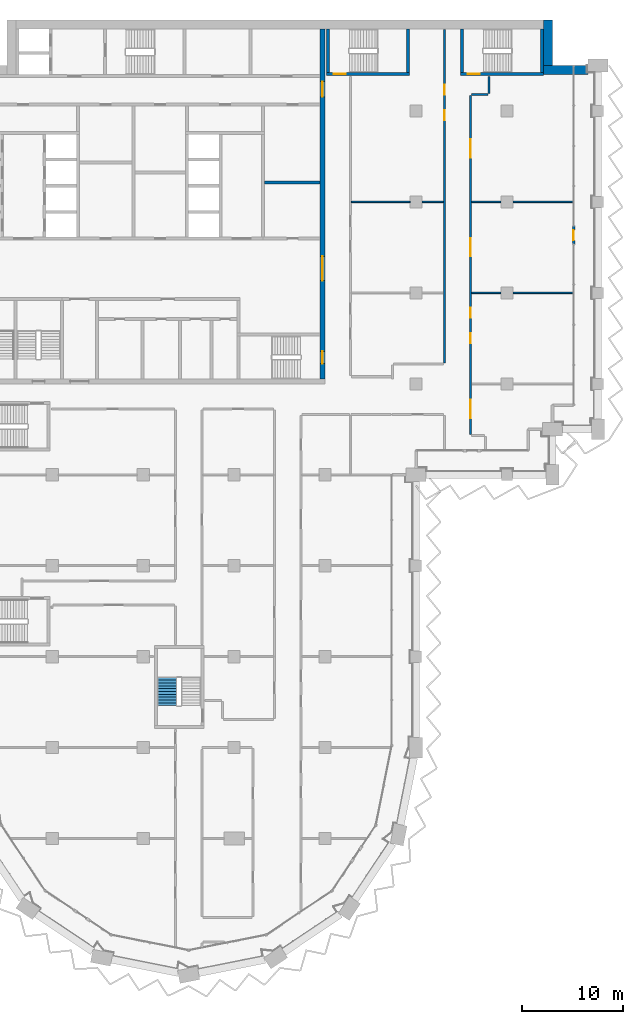
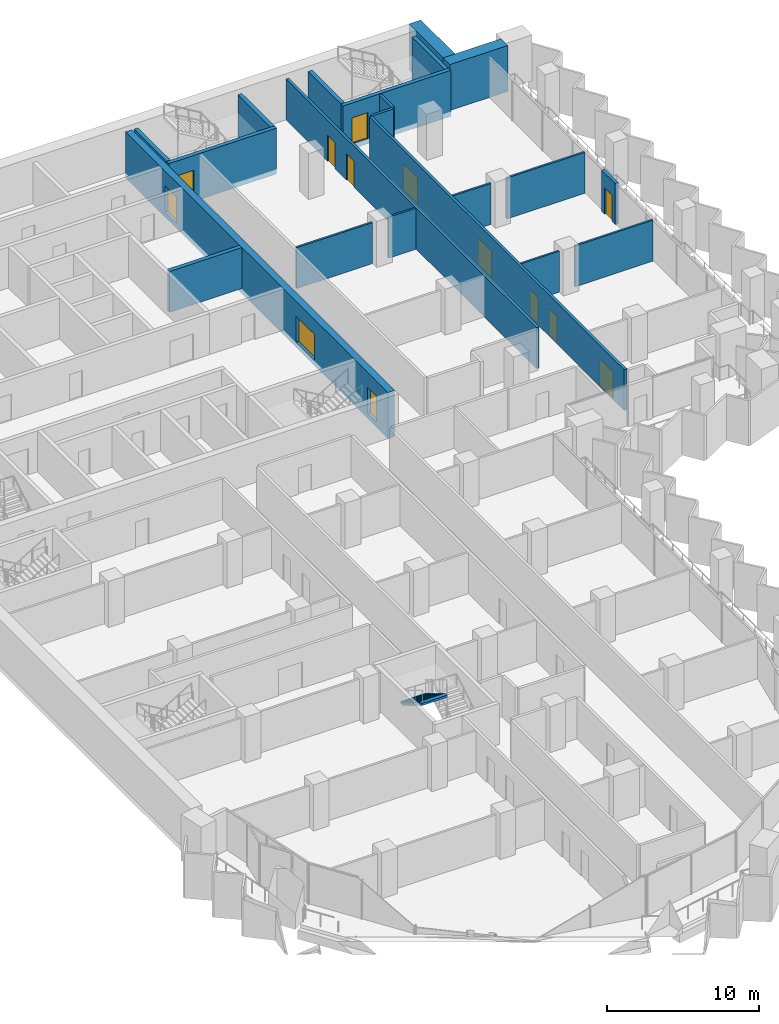
# One storey, part 15 of 23: 21 walls, 13 doors, 1 stair flight, 13 openings, 1 element without a shape of its own.
"""IFC4 building model written with IfcOpenShell, lengths in metres."""

from ifc_helpers import new_model, si_unit, direction, frame, frame_2d, origin, place, context, subcontext, project, spatial, polyline, rectangle, outline, extrude, material, layer, layer_set, type_object, element, fill, aggregate, save


model = new_model("IFC4")

# Units and contexts
model_context = context("Model", 3, precision=1e-05, world=origin(), true_north=direction((0.0, 1.0)))
body_context = subcontext(model_context, "Body", "Model", "MODEL_VIEW")
ifc_project = project(units=[si_unit("LENGTHUNIT", "METRE"), si_unit("AREAUNIT", "SQUARE_METRE"), si_unit("VOLUMEUNIT", "CUBIC_METRE"), si_unit("PLANEANGLEUNIT", "RADIAN"), si_unit("MASSUNIT", "GRAM", prefix="KILO")], contexts=[model_context])

# Site, building, storey
site_placement = place(None, origin())
site = spatial("IfcSite", under=ifc_project, at=site_placement, CompositionType="ELEMENT")
building_placement = place(site_placement, origin())
building = spatial("IfcBuilding", under=site, at=building_placement, Name="Hunhe Ridgeline Campus", CompositionType="ELEMENT")
storey_placement = place(building_placement, frame((0.0, 0.0, 170.800048828125)))
storey = spatial("IfcBuildingStorey", under=building, at=storey_placement, Name="L43", CompositionType="ELEMENT", Elevation=170.800048828125)

# Wall
ifc_material_1 = material(Name="Masonry concrete blockwork", Category="masonry")
ifc_layer_1 = layer(ifc_material_1, 0.300048828125)
ifc_layer_set_1 = layer_set([ifc_layer_1], Name="Core room partition 300 concrete block")
wall_type_1 = type_object("IfcWallType", Name="Core room partition 300 concrete block", PredefinedType="PARTITIONING", material=ifc_layer_set_1)
wall_1_placement = place(storey_placement, frame((30.0, 82.89990234375, 0.0), z_axis=(0.0, 0.0, 1.0), x_axis=(1.0, 0.0, 0.0)))
element("IfcWall", 1, at=wall_1_placement, inside=storey, type_object=wall_type_1, Name="L43 core partition 20", PredefinedType="PARTITIONING", context=body_context, shape_type="SweptSolid", body=[
    extrude(rectangle(XDim=5.5, YDim=0.300048828125, at=frame_2d((2.75, 0.0))), origin(), (0.0, 0.0, 1.0), 3.300048828125),
])

# Wall, openings, doors
ifc_material_2 = material(Name="Concrete C70", Category="concrete")
ifc_layer_2 = layer(ifc_material_2, 0.5)
ifc_layer_set_2 = layer_set([ifc_layer_2], Name="Core wall 500 reinforced concrete C70")
wall_type_2 = type_object("IfcWallType", Name="Core wall 500 reinforced concrete C70", PredefinedType="SOLIDWALL", material=ifc_layer_set_2)
wall_2_placement = place(storey_placement, frame((35.75, 63.5, -0.400146484375), z_axis=(0.0, 0.0, 1.0), x_axis=(0.0, 1.0, 0.0)))
wall_2 = element("IfcWall", 2, at=wall_2_placement, inside=storey, type_object=wall_type_2, Name="L43 core wall 60", PredefinedType="SOLIDWALL", context=body_context, shape_type="SweptSolid", body=[
    extrude(rectangle(XDim=34.60009765625, YDim=0.5, at=frame_2d((17.300048828125, 0.0))), origin(), (0.0, 0.0, 1.0), 3.7001953125),
])
opening_1_placement = place(wall_2_placement, frame((9.699951171875, 0.0, 0.39990234375)))
opening_1 = element("IfcOpeningElement", 3, at=opening_1_placement, cuts=wall_2, Name="Opening CD4", PredefinedType="OPENING", context=body_context, shape_type="SweptSolid", body=[
    extrude(rectangle(XDim=2.39990234375, YDim=2.10009765625, at=frame_2d((1.199951171875, 1.050048828125))), frame((0.0, 0.25, 0.0), z_axis=(0.0, -1.0, 0.0), x_axis=(1.0, 0.0, 0.0)), (0.0, 0.0, 1.0), 0.5),
])
opening_2_placement = place(wall_2_placement, frame((27.89990234375, 0.0, 0.39990234375)))
opening_2 = element("IfcOpeningElement", 4, at=opening_2_placement, cuts=wall_2, Name="Opening CD5", PredefinedType="OPENING", context=body_context, shape_type="SweptSolid", body=[
    extrude(rectangle(XDim=1.5, YDim=2.10009765625, at=frame_2d((0.75, 1.050048828125))), frame((0.0, 0.25, 0.0), z_axis=(0.0, -1.0, 0.0), x_axis=(1.0, 0.0, 0.0)), (0.0, 0.0, 1.0), 0.5),
])
opening_3_placement = place(wall_2_placement, frame((1.5, 0.0, 0.39990234375)))
opening_3 = element("IfcOpeningElement", 5, at=opening_3_placement, cuts=wall_2, Name="Opening CD15", PredefinedType="OPENING", context=body_context, shape_type="SweptSolid", body=[
    extrude(rectangle(XDim=1.199951171875, YDim=2.10009765625, at=frame_2d((0.60009765625, 1.050048828125))), frame((0.0, 0.25, 0.0), z_axis=(0.0, -1.0, 0.0), x_axis=(1.0, 0.0, 0.0)), (0.0, 0.0, 1.0), 0.5),
])
ifc_material_3 = material(Name="Anodised aluminium and glass", Category="aluminium")
door_type_1 = type_object("IfcDoorType", Name="Glazed double door 2400x2100", OperationType="DOUBLE_DOOR_SINGLE_SWING", PredefinedType="DOOR", material=ifc_material_3)
door_1_placement = place(opening_1_placement, frame((2.39990234375, 0.0, 0.0), z_axis=(0.0, 0.0, 1.0), x_axis=(-1.0, 0.0, 0.0)))
door_1 = element("IfcDoor", 6, at=door_1_placement, inside=storey, type_object=door_type_1, Name="L43 door HALL-FLOOR", OperationType="DOUBLE_DOOR_SINGLE_SWING", OverallHeight=2.10009765625, OverallWidth=2.39990234375, PredefinedType="DOOR", context=body_context, shape_type="SweptSolid", body=[
    extrude(rectangle(XDim=2.39990234375, YDim=2.10009765625, at=frame_2d((1.199951171875, 1.050048828125))), frame((0.0, 0.02490234375, 0.0), z_axis=(0.0, -1.0, 0.0), x_axis=(1.0, 0.0, 0.0)), (0.0, 0.0, 1.0), 0.050048828125),
])
fill(opening_1, door_1)
ifc_material_4 = material(Name="Hollow metal fire door leaf")
door_type_2 = type_object("IfcDoorType", Name="Stair door 1200x2100 FD60", OperationType="SINGLE_SWING_LEFT", PredefinedType="DOOR", material=ifc_material_4)
door_2_placement = place(opening_3_placement, frame((1.199951171875, 0.0, 0.0), z_axis=(0.0, 0.0, 1.0), x_axis=(-1.0, 0.0, 0.0)))
door_2 = element("IfcDoor", 7, at=door_2_placement, inside=storey, type_object=door_type_2, Name="L43 door S2-FLOOR", OperationType="SINGLE_SWING_RIGHT", OverallHeight=2.10009765625, OverallWidth=1.199951171875, PredefinedType="DOOR", context=body_context, shape_type="SweptSolid", body=[
    extrude(rectangle(XDim=1.199951171875, YDim=2.10009765625, at=frame_2d((0.60009765625, 1.050048828125))), frame((0.0, 0.02490234375, 0.0), z_axis=(0.0, -1.0, 0.0), x_axis=(1.0, 0.0, 0.0)), (0.0, 0.0, 1.0), 0.050048828125),
])
fill(opening_3, door_2)
ifc_material_5 = material(Name="Solid core timber door leaf", Category="wood")
door_type_3 = type_object("IfcDoorType", Name="Timber door 1500x2100", OperationType="SINGLE_SWING_LEFT", PredefinedType="DOOR", material=ifc_material_5)
door_3_placement = place(opening_2_placement, frame((1.5, 0.0, 0.0), z_axis=(0.0, 0.0, 1.0), x_axis=(-1.0, 0.0, 0.0)))
door_3 = element("IfcDoor", 8, at=door_3_placement, inside=storey, type_object=door_type_3, Name="L43 door C1-FLOOR", OperationType="SINGLE_SWING_RIGHT", OverallHeight=2.10009765625, OverallWidth=1.5, PredefinedType="DOOR", context=body_context, shape_type="SweptSolid", body=[
    extrude(rectangle(XDim=1.5, YDim=2.10009765625, at=frame_2d((0.75, 1.050048828125))), frame((0.0, 0.02490234375, 0.0), z_axis=(0.0, -1.0, 0.0), x_axis=(1.0, 0.0, 0.0)), (0.0, 0.0, 1.0), 0.050048828125),
])
fill(opening_2, door_3)

# Wall
ifc_material_6 = material(Name="Gypsum board partition")
ifc_layer_3 = layer(ifc_material_6, 0.199951171875)
ifc_layer_set_3 = layer_set([ifc_layer_3], Name="Corridor partition 200 gypsum board on steel studs")
wall_type_3 = type_object("IfcWallType", Name="Corridor partition 200 gypsum board on steel studs", PredefinedType="PARTITIONING", material=ifc_layer_set_3)
wall_3_placement = place(storey_placement, frame((52.10009765625, 91.64990234375, 0.0), z_axis=(0.0, 0.0, 1.0), x_axis=(-1.0, 0.0, 0.0)))
element("IfcWall", 9, at=wall_3_placement, inside=storey, type_object=wall_type_3, Name="F-L43-wall-060", PredefinedType="PARTITIONING", context=body_context, shape_type="SweptSolid", body=[
    extrude(rectangle(XDim=1.60009765625, YDim=0.199951171875, at=frame_2d((0.800048828125, 0.0))), origin(), (0.0, 0.0, 1.0), 3.300048828125),
])

# Wall, openings, doors
wall_4_placement = place(storey_placement, frame((47.800048828125, 65.050048828125, 0.0), z_axis=(0.0, 0.0, 1.0), x_axis=(0.0, 1.0, 0.0)))
wall_4 = element("IfcWall", 10, at=wall_4_placement, inside=storey, type_object=wall_type_3, Name="F-L43-wall-077", PredefinedType="PARTITIONING", context=body_context, shape_type="SweptSolid", body=[
    extrude(rectangle(XDim=33.030029296875, YDim=0.199951171875, at=frame_2d((16.51513671875, 0.0))), origin(), (0.0, 0.0, 1.0), 3.300048828125),
])
opening_4_placement = place(wall_4_placement, frame((24.0341796875, 0.0, 0.0)))
opening_4 = element("IfcOpeningElement", 11, at=opening_4_placement, cuts=wall_4, Name="Opening RD1-035", PredefinedType="OPENING", context=body_context, shape_type="SweptSolid", body=[
    extrude(rectangle(XDim=1.0, YDim=2.10009765625, at=frame_2d((0.5, 1.050048828125))), frame((0.0, 0.10009765625, 0.0), z_axis=(0.0, -1.0, 0.0), x_axis=(1.0, 0.0, 0.0)), (0.0, 0.0, 1.0), 0.199951171875),
])
opening_5_placement = place(wall_4_placement, frame((26.5341796875, 0.0, 0.0)))
opening_5 = element("IfcOpeningElement", 12, at=opening_5_placement, cuts=wall_4, Name="Opening RD1-036", PredefinedType="OPENING", context=body_context, shape_type="SweptSolid", body=[
    extrude(rectangle(XDim=1.0, YDim=2.10009765625, at=frame_2d((0.5, 1.050048828125))), frame((0.0, 0.10009765625, 0.0), z_axis=(0.0, -1.0, 0.0), x_axis=(1.0, 0.0, 0.0)), (0.0, 0.0, 1.0), 0.199951171875),
])
ifc_material_7 = material(Name="Timber door leaf", Category="wood")
door_type_4 = type_object("IfcDoorType", Name="Single fire door 1000x2100 timber FD60", OperationType="NOTDEFINED", PredefinedType="DOOR", material=ifc_material_7)
door_4_placement = place(opening_4_placement, frame((1.0, 0.0, 0.0), z_axis=(0.0, 0.0, 1.0), x_axis=(-1.0, 0.0, 0.0)))
door_4 = element("IfcDoor", 13, at=door_4_placement, inside=storey, type_object=door_type_4, Name="F-L43-door-035", OperationType="SINGLE_SWING_LEFT", OverallHeight=2.10009765625, OverallWidth=1.0, PredefinedType="DOOR", context=body_context, shape_type="SweptSolid", body=[
    extrude(rectangle(XDim=1.0, YDim=2.10009765625, at=frame_2d((0.5, 1.050048828125))), frame((0.0, 0.02490234375, 0.0), z_axis=(0.0, -1.0, 0.0), x_axis=(1.0, 0.0, 0.0)), (0.0, 0.0, 1.0), 0.050048828125),
])
fill(opening_4, door_4)
door_5_placement = place(opening_5_placement, frame((1.0, 0.0, 0.0), z_axis=(0.0, 0.0, 1.0), x_axis=(-1.0, 0.0, 0.0)))
door_5 = element("IfcDoor", 14, at=door_5_placement, inside=storey, type_object=door_type_4, Name="F-L43-door-036", OperationType="SINGLE_SWING_LEFT", OverallHeight=2.10009765625, OverallWidth=1.0, PredefinedType="DOOR", context=body_context, shape_type="SweptSolid", body=[
    extrude(rectangle(XDim=1.0, YDim=2.10009765625, at=frame_2d((0.5, 1.050048828125))), frame((0.0, 0.02490234375, 0.0), z_axis=(0.0, -1.0, 0.0), x_axis=(1.0, 0.0, 0.0)), (0.0, 0.0, 1.0), 0.050048828125),
])
fill(opening_5, door_5)

wall_5_placement = place(storey_placement, frame((50.39990234375, 91.550048828125, 0.0), z_axis=(0.0, 0.0, 1.0), x_axis=(0.0, -1.0, 0.0)))
wall_5 = element("IfcWall", 15, at=wall_5_placement, inside=storey, type_object=wall_type_3, Name="F-L43-wall-078", PredefinedType="PARTITIONING", context=body_context, shape_type="SweptSolid", body=[
    extrude(rectangle(XDim=33.549072265625, YDim=0.199951171875, at=frame_2d((16.7744140625, 0.0))), origin(), (0.0, 0.0, 1.0), 3.300048828125),
])
opening_6_placement = place(wall_5_placement, frame((30.145263671875, 0.0, 0.0)))
opening_6 = element("IfcOpeningElement", 16, at=opening_6_placement, cuts=wall_5, Name="Opening RD2-026", PredefinedType="OPENING", context=body_context, shape_type="SweptSolid", body=[
    extrude(rectangle(XDim=1.800048828125, YDim=2.10009765625, at=frame_2d((0.89990234375, 1.050048828125))), frame((0.0, 0.10009765625, 0.0), z_axis=(0.0, -1.0, 0.0), x_axis=(1.0, 0.0, 0.0)), (0.0, 0.0, 1.0), 0.199951171875),
])
opening_7_placement = place(wall_5_placement, frame((23.53515625, 0.0, 0.0)))
opening_7 = element("IfcOpeningElement", 17, at=opening_7_placement, cuts=wall_5, Name="Opening RD1-027", PredefinedType="OPENING", context=body_context, shape_type="SweptSolid", body=[
    extrude(rectangle(XDim=1.0, YDim=2.10009765625, at=frame_2d((0.5, 1.050048828125))), frame((0.0, 0.10009765625, 0.0), z_axis=(0.0, -1.0, 0.0), x_axis=(1.0, 0.0, 0.0)), (0.0, 0.0, 1.0), 0.199951171875),
])
opening_8_placement = place(wall_5_placement, frame((21.03515625, 0.0, 0.0)))
opening_8 = element("IfcOpeningElement", 18, at=opening_8_placement, cuts=wall_5, Name="Opening RD1-029", PredefinedType="OPENING", context=body_context, shape_type="SweptSolid", body=[
    extrude(rectangle(XDim=1.0, YDim=2.10009765625, at=frame_2d((0.5, 1.050048828125))), frame((0.0, 0.10009765625, 0.0), z_axis=(0.0, -1.0, 0.0), x_axis=(1.0, 0.0, 0.0)), (0.0, 0.0, 1.0), 0.199951171875),
])
opening_9_placement = place(wall_5_placement, frame((14.121826171875, 0.0, 0.0)))
opening_9 = element("IfcOpeningElement", 19, at=opening_9_placement, cuts=wall_5, Name="Opening RD2-031", PredefinedType="OPENING", context=body_context, shape_type="SweptSolid", body=[
    extrude(rectangle(XDim=1.800048828125, YDim=2.10009765625, at=frame_2d((0.89990234375, 1.050048828125))), frame((0.0, 0.10009765625, 0.0), z_axis=(0.0, -1.0, 0.0), x_axis=(1.0, 0.0, 0.0)), (0.0, 0.0, 1.0), 0.199951171875),
])
opening_10_placement = place(wall_5_placement, frame((4.357666015625, 0.0, 0.0)))
opening_10 = element("IfcOpeningElement", 20, at=opening_10_placement, cuts=wall_5, Name="Opening RD2-034", PredefinedType="OPENING", context=body_context, shape_type="SweptSolid", body=[
    extrude(rectangle(XDim=1.800048828125, YDim=2.10009765625, at=frame_2d((0.89990234375, 1.050048828125))), frame((0.0, 0.10009765625, 0.0), z_axis=(0.0, -1.0, 0.0), x_axis=(1.0, 0.0, 0.0)), (0.0, 0.0, 1.0), 0.199951171875),
])
door_type_5 = type_object("IfcDoorType", Name="Double fire door 1800x2100 timber FD60", OperationType="DOUBLE_DOOR_SINGLE_SWING", PredefinedType="DOOR", material=ifc_material_7)
door_6_placement = place(opening_6_placement, origin())
door_6 = element("IfcDoor", 21, at=door_6_placement, inside=storey, type_object=door_type_5, Name="F-L43-door-026", OperationType="DOUBLE_DOOR_SINGLE_SWING", OverallHeight=2.10009765625, OverallWidth=1.800048828125, PredefinedType="DOOR", context=body_context, shape_type="SweptSolid", body=[
    extrude(rectangle(XDim=1.800048828125, YDim=2.10009765625, at=frame_2d((0.89990234375, 1.050048828125))), frame((0.0, 0.02490234375, 0.0), z_axis=(0.0, -1.0, 0.0), x_axis=(1.0, 0.0, 0.0)), (0.0, 0.0, 1.0), 0.050048828125),
])
fill(opening_6, door_6)
door_7_placement = place(opening_9_placement, origin())
door_7 = element("IfcDoor", 22, at=door_7_placement, inside=storey, type_object=door_type_5, Name="F-L43-door-031", OperationType="DOUBLE_DOOR_SINGLE_SWING", OverallHeight=2.10009765625, OverallWidth=1.800048828125, PredefinedType="DOOR", context=body_context, shape_type="SweptSolid", body=[
    extrude(rectangle(XDim=1.800048828125, YDim=2.10009765625, at=frame_2d((0.89990234375, 1.050048828125))), frame((0.0, 0.02490234375, 0.0), z_axis=(0.0, -1.0, 0.0), x_axis=(1.0, 0.0, 0.0)), (0.0, 0.0, 1.0), 0.050048828125),
])
fill(opening_9, door_7)
door_8_placement = place(opening_10_placement, origin())
door_8 = element("IfcDoor", 23, at=door_8_placement, inside=storey, type_object=door_type_5, Name="F-L43-door-034", OperationType="DOUBLE_DOOR_SINGLE_SWING", OverallHeight=2.10009765625, OverallWidth=1.800048828125, PredefinedType="DOOR", context=body_context, shape_type="SweptSolid", body=[
    extrude(rectangle(XDim=1.800048828125, YDim=2.10009765625, at=frame_2d((0.89990234375, 1.050048828125))), frame((0.0, 0.02490234375, 0.0), z_axis=(0.0, -1.0, 0.0), x_axis=(1.0, 0.0, 0.0)), (0.0, 0.0, 1.0), 0.050048828125),
])
fill(opening_10, door_8)
door_9_placement = place(opening_7_placement, frame((1.0, 0.0, 0.0), z_axis=(0.0, 0.0, 1.0), x_axis=(-1.0, 0.0, 0.0)))
door_9 = element("IfcDoor", 24, at=door_9_placement, inside=storey, type_object=door_type_4, Name="F-L43-door-027", OperationType="SINGLE_SWING_LEFT", OverallHeight=2.10009765625, OverallWidth=1.0, PredefinedType="DOOR", context=body_context, shape_type="SweptSolid", body=[
    extrude(rectangle(XDim=1.0, YDim=2.10009765625, at=frame_2d((0.5, 1.050048828125))), frame((0.0, 0.02490234375, 0.0), z_axis=(0.0, -1.0, 0.0), x_axis=(1.0, 0.0, 0.0)), (0.0, 0.0, 1.0), 0.050048828125),
])
fill(opening_7, door_9)
door_10_placement = place(opening_8_placement, frame((1.0, 0.0, 0.0), z_axis=(0.0, 0.0, 1.0), x_axis=(-1.0, 0.0, 0.0)))
door_10 = element("IfcDoor", 25, at=door_10_placement, inside=storey, type_object=door_type_4, Name="F-L43-door-029", OperationType="SINGLE_SWING_RIGHT", OverallHeight=2.10009765625, OverallWidth=1.0, PredefinedType="DOOR", context=body_context, shape_type="SweptSolid", body=[
    extrude(rectangle(XDim=1.0, YDim=2.10009765625, at=frame_2d((0.5, 1.050048828125))), frame((0.0, 0.02490234375, 0.0), z_axis=(0.0, -1.0, 0.0), x_axis=(1.0, 0.0, 0.0)), (0.0, 0.0, 1.0), 0.050048828125),
])
fill(opening_8, door_10)

# Wall
wall_6_placement = place(storey_placement, frame((52.199951171875, 93.39599609375, 0.0), z_axis=(0.0, 0.0, 1.0), x_axis=(0.0, -1.0, 0.0)))
element("IfcWall", 26, at=wall_6_placement, inside=storey, type_object=wall_type_3, Name="F-L43-wall-080", PredefinedType="PARTITIONING", context=body_context, shape_type="SweptSolid", body=[
    extrude(rectangle(XDim=1.64599609375, YDim=0.199951171875, at=frame_2d((0.822998046875, 0.0))), origin(), (0.0, 0.0, 1.0), 3.300048828125),
])

# Wall, opening, door
ifc_material_8 = material(Name="Concrete C30", Category="concrete")
ifc_layer_4 = layer(ifc_material_8, 0.25)
ifc_layer_set_4 = layer_set([ifc_layer_4], Name="Loggia door pier wall 250 Concrete C30")
wall_type_4 = type_object("IfcWallType", Name="Loggia door pier wall 250 Concrete C30", PredefinedType="SOLIDWALL", material=ifc_layer_set_4)
wall_7_placement = place(storey_placement, frame((60.59912109375, 76.800537109375, 0.0), z_axis=(0.0, 0.0, 1.0), x_axis=(0.0, 1.0, 0.0)))
wall_7 = element("IfcWall", 27, at=wall_7_placement, inside=storey, type_object=wall_type_4, Name="Loggia door pier 4", PredefinedType="SOLIDWALL", context=body_context, shape_type="SweptSolid", body=[
    extrude(rectangle(XDim=1.800048828125, YDim=0.25, at=frame_2d((0.89990234375, 0.0))), origin(), (0.0, 0.0, 1.0), 3.300048828125),
])
opening_11_placement = place(wall_7_placement, frame((0.39990234375, 0.0, 0.0)))
opening_11 = element("IfcOpeningElement", 28, at=opening_11_placement, cuts=wall_7, Name="Opening BD307", PredefinedType="OPENING", context=body_context, shape_type="SweptSolid", body=[
    extrude(rectangle(XDim=1.0, YDim=2.10009765625, at=frame_2d((0.5, 1.050048828125))), frame((0.0, 0.125, 0.0), z_axis=(0.0, -1.0, 0.0), x_axis=(1.0, 0.0, 0.0)), (0.0, 0.0, 1.0), 0.25),
])
ifc_material_9 = material(Name="Aluminium 6063", Category="aluminium")
door_type_6 = type_object("IfcDoorType", Name="Loggia glazed door 1000x2100", OperationType="NOTDEFINED", PredefinedType="DOOR", material=ifc_material_9)
door_11_placement = place(opening_11_placement, frame((1.0, 0.0, 0.0), z_axis=(0.0, 0.0, 1.0), x_axis=(-1.0, 0.0, 0.0)))
door_11 = element("IfcDoor", 29, at=door_11_placement, inside=storey, type_object=door_type_6, Name="Loggia door BD307", OperationType="SINGLE_SWING_RIGHT", OverallHeight=2.10009765625, OverallWidth=1.0, PredefinedType="DOOR", context=body_context, shape_type="SweptSolid", body=[
    extrude(rectangle(XDim=1.0, YDim=2.10009765625, at=frame_2d((0.5, 1.050048828125))), frame((0.0, 0.02490234375, 0.0), z_axis=(0.0, -1.0, 0.0), x_axis=(1.0, 0.0, 0.0)), (0.0, 0.0, 1.0), 0.050048828125),
])
fill(opening_11, door_11)

# Walls
ifc_layer_5 = layer(ifc_material_6, 0.14990234375)
ifc_layer_set_5 = layer_set([ifc_layer_5], Name="Room partition 150 gypsum board on steel studs")
wall_type_5 = type_object("IfcWallType", Name="Room partition 150 gypsum board on steel studs", PredefinedType="PARTITIONING", material=ifc_layer_set_5)
wall_8_placement = place(storey_placement, frame((50.5, 72.0, 0.0), z_axis=(0.0, 0.0, 1.0), x_axis=(1.0, 0.0, 0.0)))
element("IfcWall", 30, at=wall_8_placement, inside=storey, type_object=wall_type_5, Name="F-L43-wall-054", PredefinedType="PARTITIONING", context=body_context, shape_type="SweptSolid", body=[
    extrude(rectangle(XDim=2.89990234375, YDim=0.14990234375, at=frame_2d((1.449951171875, 0.0))), origin(), (0.0, 0.0, 1.0), 3.300048828125),
])
wall_9_placement = place(storey_placement, frame((54.60009765625, 72.0, 0.0), z_axis=(0.0, 0.0, 1.0), x_axis=(1.0, 0.0, 0.0)))
element("IfcWall", 31, at=wall_9_placement, inside=storey, type_object=wall_type_5, Name="F-L43-wall-055", PredefinedType="PARTITIONING", context=body_context, shape_type="SweptSolid", body=[
    extrude(rectangle(XDim=5.94482421875, YDim=0.14990234375, at=frame_2d((2.972412109375, 0.0))), origin(), (0.0, 0.0, 1.0), 3.300048828125),
])
wall_10_placement = place(storey_placement, frame((38.60009765625, 81.0, 0.0), z_axis=(0.0, 0.0, 1.0), x_axis=(1.0, 0.0, 0.0)))
element("IfcWall", 32, at=wall_10_placement, inside=storey, type_object=wall_type_5, Name="F-L43-wall-056", PredefinedType="PARTITIONING", context=body_context, shape_type="SweptSolid", body=[
    extrude(rectangle(XDim=5.7998046875, YDim=0.14990234375, at=frame_2d((2.89990234375, 0.0))), origin(), (0.0, 0.0, 1.0), 3.300048828125),
])
wall_11_placement = place(storey_placement, frame((45.60009765625, 81.0, 0.0), z_axis=(0.0, 0.0, 1.0), x_axis=(1.0, 0.0, 0.0)))
element("IfcWall", 33, at=wall_11_placement, inside=storey, type_object=wall_type_5, Name="F-L43-wall-057", PredefinedType="PARTITIONING", context=body_context, shape_type="SweptSolid", body=[
    extrude(rectangle(XDim=2.099853515625, YDim=0.14990234375, at=frame_2d((1.0498046875, 0.0))), origin(), (0.0, 0.0, 1.0), 3.300048828125),
])
wall_12_placement = place(storey_placement, frame((50.5, 81.0, 0.0), z_axis=(0.0, 0.0, 1.0), x_axis=(1.0, 0.0, 0.0)))
element("IfcWall", 34, at=wall_12_placement, inside=storey, type_object=wall_type_5, Name="F-L43-wall-058", PredefinedType="PARTITIONING", context=body_context, shape_type="SweptSolid", body=[
    extrude(rectangle(XDim=2.89990234375, YDim=0.14990234375, at=frame_2d((1.449951171875, 0.0))), origin(), (0.0, 0.0, 1.0), 3.300048828125),
])
wall_13_placement = place(storey_placement, frame((54.60009765625, 81.0, 0.0), z_axis=(0.0, 0.0, 1.0), x_axis=(1.0, 0.0, 0.0)))
element("IfcWall", 35, at=wall_13_placement, inside=storey, type_object=wall_type_5, Name="F-L43-wall-059", PredefinedType="PARTITIONING", context=body_context, shape_type="SweptSolid", body=[
    extrude(rectangle(XDim=5.94482421875, YDim=0.14990234375, at=frame_2d((2.972412109375, 0.0))), origin(), (0.0, 0.0, 1.0), 3.300048828125),
])
ifc_layer_6 = layer(ifc_material_2, 0.89990234375)
ifc_layer_set_6 = layer_set([ifc_layer_6], Name="Spine wall 900 Concrete C70")
wall_type_6 = type_object("IfcWallType", Name="Spine wall 900 Concrete C70", PredefinedType="SHEAR", material=ifc_layer_set_6)
wall_14_placement = place(storey_placement, frame((62.0, 94.050048828125, 0.0), z_axis=(0.0, 0.0, 1.0), x_axis=(-1.0, 0.0, 0.0)))
element("IfcWall", 36, at=wall_14_placement, inside=storey, type_object=wall_type_6, Name="Spine wall SW2-2 L43", PredefinedType="SHEAR", context=body_context, shape_type="SweptSolid", body=[
    extrude(rectangle(XDim=4.400390625, YDim=0.89990234375, at=frame_2d((2.2001953125, 0.0))), origin(), (0.0, 0.0, 1.0), 3.699951171875),
])
wall_15_placement = place(storey_placement, frame((58.050048828125, 93.60009765625, 0.0), z_axis=(0.0, 0.0, 1.0), x_axis=(0.0, 1.0, 0.0)))
element("IfcWall", 37, at=wall_15_placement, inside=storey, type_object=wall_type_6, Name="Spine wall SW2-3 L43", PredefinedType="SHEAR", context=body_context, shape_type="SweptSolid", body=[
    extrude(rectangle(XDim=5.39990234375, YDim=0.89990234375, at=frame_2d((2.699951171875, 0.0))), origin(), (0.0, 0.0, 1.0), 3.699951171875),
])

# Wall, opening, door
ifc_layer_7 = layer(ifc_material_2, 0.300048828125)
ifc_layer_set_7 = layer_set([ifc_layer_7], Name="Stair wall 300 reinforced concrete C70")
wall_type_7 = type_object("IfcWallType", Name="Stair wall 300 reinforced concrete C70", PredefinedType="SOLIDWALL", material=ifc_layer_set_7)
wall_16_placement = place(storey_placement, frame((36.14990234375, 93.64990234375, -0.400146484375), z_axis=(0.0, 0.0, 1.0), x_axis=(1.0, 0.0, 0.0)))
wall_16 = element("IfcWall", 38, at=wall_16_placement, inside=storey, type_object=wall_type_7, Name="L43 core wall 30", PredefinedType="SOLIDWALL", context=body_context, shape_type="SweptSolid", body=[
    extrude(rectangle(XDim=8.2001953125, YDim=0.300048828125, at=frame_2d((4.10009765625, 0.0))), origin(), (0.0, 0.0, 1.0), 3.7001953125),
])
opening_12_placement = place(wall_16_placement, frame((0.699951171875, 0.0, 0.39990234375)))
opening_12 = element("IfcOpeningElement", 39, at=opening_12_placement, cuts=wall_16, Name="Opening CD17", PredefinedType="OPENING", context=body_context, shape_type="SweptSolid", body=[
    extrude(rectangle(XDim=1.199951171875, YDim=2.10009765625, at=frame_2d((0.60009765625, 1.050048828125))), frame((0.0, 0.14990234375, 0.0), z_axis=(0.0, -1.0, 0.0), x_axis=(1.0, 0.0, 0.0)), (0.0, 0.0, 1.0), 0.300048828125),
])
door_12_placement = place(opening_12_placement, frame((1.199951171875, 0.0, 0.0), z_axis=(0.0, 0.0, 1.0), x_axis=(-1.0, 0.0, 0.0)))
door_12 = element("IfcDoor", 40, at=door_12_placement, inside=storey, type_object=door_type_2, Name="L43 door E1", OperationType="SINGLE_SWING_RIGHT", OverallHeight=2.10009765625, OverallWidth=1.199951171875, PredefinedType="DOOR", context=body_context, shape_type="SweptSolid", body=[
    extrude(rectangle(XDim=1.199951171875, YDim=2.10009765625, at=frame_2d((0.60009765625, 1.050048828125))), frame((0.0, 0.02490234375, 0.0), z_axis=(0.0, -1.0, 0.0), x_axis=(1.0, 0.0, 0.0)), (0.0, 0.0, 1.0), 0.050048828125),
])
fill(opening_12, door_12)

wall_17_placement = place(storey_placement, frame((49.39990234375, 93.64990234375, -0.400146484375), z_axis=(0.0, 0.0, 1.0), x_axis=(1.0, 0.0, 0.0)))
wall_17 = element("IfcWall", 41, at=wall_17_placement, inside=storey, type_object=wall_type_7, Name="L43 core wall 31", PredefinedType="SOLIDWALL", context=body_context, shape_type="SweptSolid", body=[
    extrude(rectangle(XDim=8.2001953125, YDim=0.300048828125, at=frame_2d((4.10009765625, 0.0))), origin(), (0.0, 0.0, 1.0), 3.7001953125),
])
opening_13_placement = place(wall_17_placement, frame((0.699951171875, 0.0, 0.39990234375)))
opening_13 = element("IfcOpeningElement", 42, at=opening_13_placement, cuts=wall_17, Name="Opening CD18", PredefinedType="OPENING", context=body_context, shape_type="SweptSolid", body=[
    extrude(rectangle(XDim=1.199951171875, YDim=2.10009765625, at=frame_2d((0.60009765625, 1.050048828125))), frame((0.0, 0.14990234375, 0.0), z_axis=(0.0, -1.0, 0.0), x_axis=(1.0, 0.0, 0.0)), (0.0, 0.0, 1.0), 0.300048828125),
])
door_13_placement = place(opening_13_placement, frame((1.199951171875, 0.0, 0.0), z_axis=(0.0, 0.0, 1.0), x_axis=(-1.0, 0.0, 0.0)))
door_13 = element("IfcDoor", 43, at=door_13_placement, inside=storey, type_object=door_type_2, Name="L43 door E2", OperationType="SINGLE_SWING_LEFT", OverallHeight=2.10009765625, OverallWidth=1.199951171875, PredefinedType="DOOR", context=body_context, shape_type="SweptSolid", body=[
    extrude(rectangle(XDim=1.199951171875, YDim=2.10009765625, at=frame_2d((0.60009765625, 1.050048828125))), frame((0.0, 0.02490234375, 0.0), z_axis=(0.0, -1.0, 0.0), x_axis=(1.0, 0.0, 0.0)), (0.0, 0.0, 1.0), 0.050048828125),
])
fill(opening_13, door_13)

# Walls
for number, where, z_axis, x_axis, name in (
    (44, (36.300048828125, 93.800048828125, -0.400146484375), (0.0, 0.0, 1.0), (0.0, 1.0, 0.0), "L43 core wall 61"),
    (45, (44.199951171875, 93.800048828125, -0.400146484375), (0.0, 0.0, 1.0), (0.0, 1.0, 0.0), "L43 core wall 62"),
    (46, (49.550048828125, 93.800048828125, -0.400146484375), (0.0, 0.0, 1.0), (0.0, 1.0, 0.0), "L43 core wall 63"),
    (47, (57.449951171875, 93.800048828125, -0.400146484375), (0.0, 0.0, 1.0), (0.0, 1.0, 0.0), "L43 core wall 64"),
):
    element("IfcWall", number, at=place(storey_placement, frame(where, z_axis=z_axis, x_axis=x_axis)), inside=storey, type_object=wall_type_7, Name=name, PredefinedType="SOLIDWALL", context=body_context, shape_type="SweptSolid", body=[
        extrude(rectangle(XDim=4.300048828125, YDim=0.300048828125, at=frame_2d((2.14990234375, 0.0))), origin(), (0.0, 0.0, 1.0), 3.7001953125),
    ])

# Stair, stair flight
ifc_material_10 = material(Name="Concrete C40", Category="concrete")
stair_type = type_object("IfcStairType", Name="Reinforced concrete dog-leg stair 1950 Concrete C40", PredefinedType="HALF_TURN_STAIR", material=ifc_material_10)
stair_placement = place(storey_placement, origin())
stair = element("IfcStair", 48, at=stair_placement, inside=storey, type_object=stair_type, Name="L43 W3", PredefinedType="HALF_TURN_STAIR")
stair_flight_type = type_object("IfcStairFlightType", Name="Reinforced concrete stair flight 1950 Concrete C40", PredefinedType="STRAIGHT", material=ifc_material_10)
stair_flight_placement = place(storey_placement, frame((20.375, 33.949951171875, 1.849853515625), z_axis=(0.0, 0.0, 1.0), x_axis=(0.0, -1.0, 0.0)))
stair_flight = element("IfcStairFlight", 49, at=stair_flight_placement, type_object=stair_flight_type, Name="ST9 flight 2", NumberOfRisers=11, NumberOfTreads=10, PredefinedType="STRAIGHT", RiserHeight=0.168181818, TreadLength=0.28, context=body_context, shape_type="SweptSolid", body=[
    extrude(outline(polyline([(0.0, 0.0), (0.0, 0.168212890625), (0.280029296875, 0.168212890625), (0.280029296875, 0.33642578125), (0.56005859375, 0.33642578125), (0.56005859375, 0.504638671875), (0.840087890625, 0.504638671875), (0.840087890625, 0.672607421875), (1.1201171875, 0.672607421875), (1.1201171875, 0.8408203125), (1.39990234375, 0.8408203125), (1.39990234375, 1.009033203125), (1.679931640625, 1.009033203125), (1.679931640625, 1.17724609375), (1.9599609375, 1.17724609375), (1.9599609375, 1.345458984375), (2.239990234375, 1.345458984375), (2.239990234375, 1.513671875), (2.52001953125, 1.513671875), (2.52001953125, 1.681884765625), (2.800048828125, 1.681884765625), (2.800048828125, 1.85009765625), (2.800048828125, 1.5068359375), (0.291015625, 0.0), (0.0, 0.0)])), frame((0.0, 0.97509765625, 0.0), z_axis=(0.0, -1.0, 0.0), x_axis=(1.0, 0.0, 0.0)), (0.0, 0.0, 1.0), 1.949951171875),
    extrude(outline(polyline([(0.030029296875, 0.030029296875), (0.030029296875, 0.13818359375), (0.31005859375, 0.13818359375), (0.31005859375, 0.306396484375), (0.590087890625, 0.306396484375), (0.590087890625, 0.474609375), (0.8701171875, 0.474609375), (0.8701171875, 0.642578125), (1.14990234375, 0.642578125), (1.14990234375, 0.810791015625), (1.429931640625, 0.810791015625), (1.429931640625, 0.97900390625), (1.7099609375, 0.97900390625), (1.7099609375, 1.147216796875), (1.989990234375, 1.147216796875), (1.989990234375, 1.3154296875), (2.27001953125, 1.3154296875), (2.27001953125, 1.483642578125), (2.550048828125, 1.483642578125), (2.550048828125, 1.65185546875), (2.77001953125, 1.65185546875), (2.77001953125, 1.52392578125), (0.28271484375, 0.030029296875), (0.030029296875, 0.030029296875)])), frame((0.0, -0.070068359375, 0.0), z_axis=(0.0, -1.0, 0.0), x_axis=(1.0, 0.0, 0.0)), (0.0, 0.0, 1.0), 0.019775390625),
    extrude(outline(polyline([(0.030029296875, 0.030029296875), (0.030029296875, 0.13818359375), (0.31005859375, 0.13818359375), (0.31005859375, 0.306396484375), (0.590087890625, 0.306396484375), (0.590087890625, 0.474609375), (0.8701171875, 0.474609375), (0.8701171875, 0.642578125), (1.14990234375, 0.642578125), (1.14990234375, 0.810791015625), (1.429931640625, 0.810791015625), (1.429931640625, 0.97900390625), (1.7099609375, 0.97900390625), (1.7099609375, 1.147216796875), (1.989990234375, 1.147216796875), (1.989990234375, 1.3154296875), (2.27001953125, 1.3154296875), (2.27001953125, 1.483642578125), (2.550048828125, 1.483642578125), (2.550048828125, 1.65185546875), (2.77001953125, 1.65185546875), (2.77001953125, 1.52392578125), (0.28271484375, 0.030029296875), (0.030029296875, 0.030029296875)])), frame((0.0, 0.010009765625, 0.0), z_axis=(0.0, -1.0, 0.0), x_axis=(1.0, 0.0, 0.0)), (0.0, 0.0, 1.0), 0.019775390625),
    extrude(outline(polyline([(0.030029296875, 0.030029296875), (0.030029296875, 0.13818359375), (0.31005859375, 0.13818359375), (0.31005859375, 0.306396484375), (0.590087890625, 0.306396484375), (0.590087890625, 0.474609375), (0.8701171875, 0.474609375), (0.8701171875, 0.642578125), (1.14990234375, 0.642578125), (1.14990234375, 0.810791015625), (1.429931640625, 0.810791015625), (1.429931640625, 0.97900390625), (1.7099609375, 0.97900390625), (1.7099609375, 1.147216796875), (1.989990234375, 1.147216796875), (1.989990234375, 1.3154296875), (2.27001953125, 1.3154296875), (2.27001953125, 1.483642578125), (2.550048828125, 1.483642578125), (2.550048828125, 1.65185546875), (2.77001953125, 1.65185546875), (2.77001953125, 1.52392578125), (0.28271484375, 0.030029296875), (0.030029296875, 0.030029296875)])), frame((0.0, 0.090087890625, 0.0), z_axis=(0.0, -1.0, 0.0), x_axis=(1.0, 0.0, 0.0)), (0.0, 0.0, 1.0), 0.019775390625),
])
aggregate(stair, [stair_flight])

save(model, "model.ifc")
